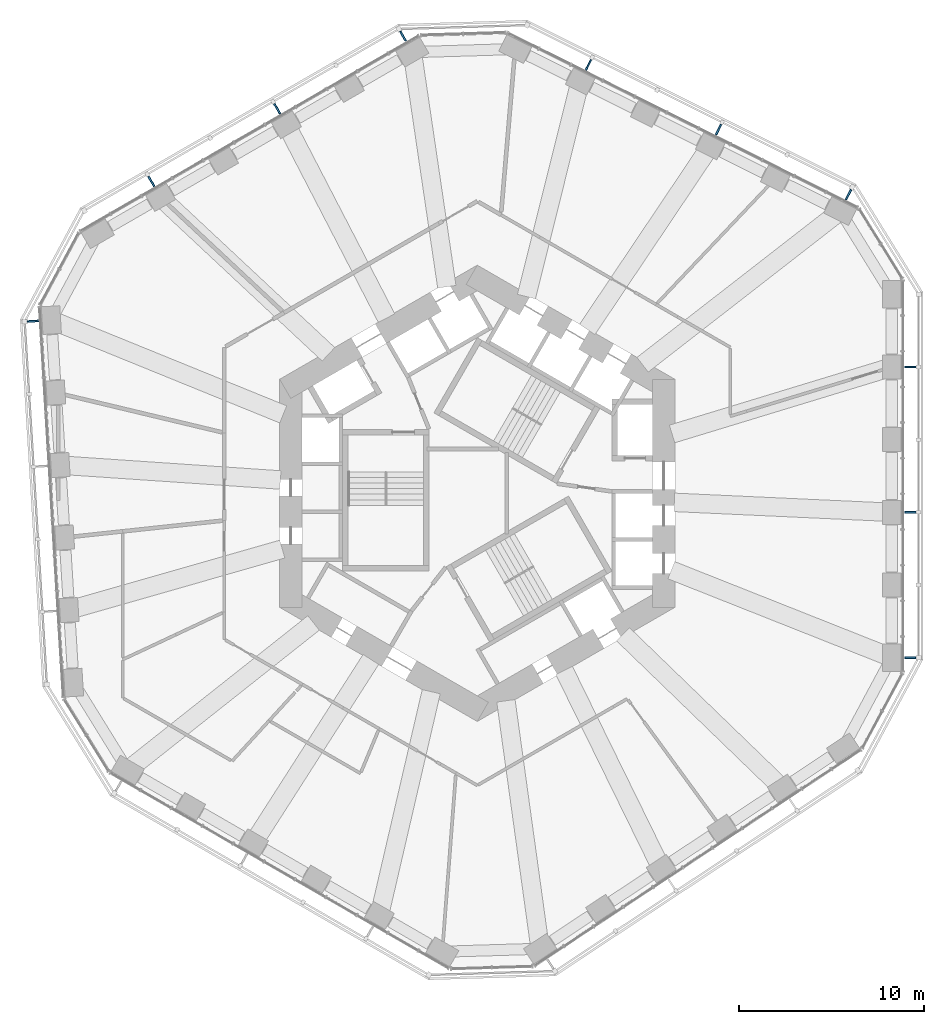
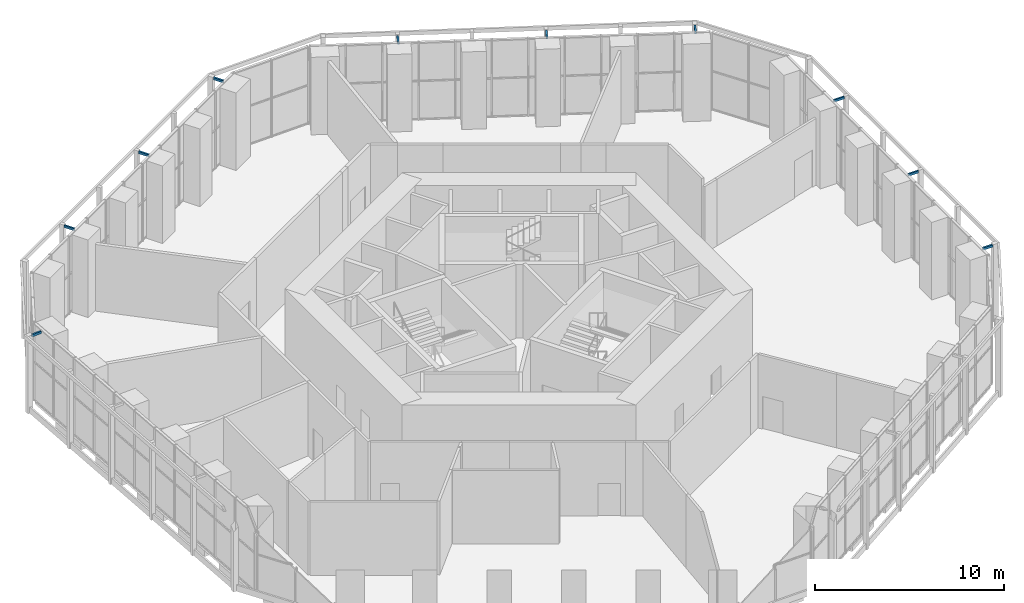
# One storey, part 18 of 19: 10 discrete accessories.
"""IFC4 building model written with IfcOpenShell, lengths in metres."""

import ifcopenshell
import ifcopenshell.guid

model = None  # the IFC model being written
_history = None  # IfcOwnerHistory: only IFC2X3 demands one
_inside = {}  # id of a spatial element -> (the spatial element, [elements in it])
_under = {}  # id of a project, library or spatial element -> (it, [spatial elements below it])
_declared = {}  # id of a project -> (the project, [libraries it declares])
_typed = {}  # id of a type object -> (the type object, [elements of that type])
_made_of = {}  # id of a material, layer set ... -> (it, [elements and type objects made of it])


def new_model(schema):
    """Start an empty IFC model of exactly this schema.

    Asked for "IFC4X3", IfcOpenShell would pick the latest addendum, in which some entities
    have other attributes; the version numbers below select the first issue.
    IFC2X3 requires an IfcOwnerHistory on every rooted entity: one is made here for all.
    """
    global model, _history
    if schema == "IFC4X3":
        model = ifcopenshell.file(schema_version=(4, 3, 0, 0))
    else:
        model = ifcopenshell.file(schema=schema)
    _inside.clear()
    _under.clear()
    _declared.clear()
    _typed.clear()
    _made_of.clear()
    _history = None
    if model.schema == "IFC2X3":
        org = make("IfcOrganization", Name="unknown")
        user = make(
            "IfcPersonAndOrganization",
            ThePerson=make("IfcPerson", FamilyName="unknown"),
            TheOrganization=org,
        )
        app = make(
            "IfcApplication",
            ApplicationDeveloper=org,
            Version="unknown",
            ApplicationFullName="unknown",
            ApplicationIdentifier="unknown",
        )
        _history = make(
            "IfcOwnerHistory",
            OwningUser=user,
            OwningApplication=app,
            ChangeAction="ADDED",
            CreationDate=0,
        )
    return model


def make(cls, **values):
    """One entity of the class cls with the attributes given. An attribute that is None is left unset."""
    return model.create_entity(
        cls, **{name: value for name, value in values.items() if value is not None}
    )


def rooted(cls, **values):
    """An entity with a GlobalId (a new one), such as an element, a storey or a relation."""
    return make(cls, GlobalId=ifcopenshell.guid.new(), OwnerHistory=_history, **values)


def si_unit(unit_type, name, prefix=None):
    """IfcSIUnit, for example si_unit("LENGTHUNIT", "METRE", prefix="MILLI")."""
    return make("IfcSIUnit", UnitType=unit_type, Prefix=prefix, Name=name)


def assignment(units):
    """IfcUnitAssignment: the units of a project."""
    return None if units is None else make("IfcUnitAssignment", Units=units)


def point(xyz):
    """IfcCartesianPoint."""
    return None if xyz is None else make("IfcCartesianPoint", Coordinates=xyz)


def direction(xyz):
    """IfcDirection."""
    return None if xyz is None else make("IfcDirection", DirectionRatios=xyz)


def frame(location, z_axis=None, x_axis=None):
    """IfcAxis2Placement3D, a coordinate frame: its origin and axes. An axis left out is left unset."""
    return make(
        "IfcAxis2Placement3D",
        Location=point(location),
        Axis=direction(z_axis),
        RefDirection=direction(x_axis),
    )


def frame_2d(location, x_axis=None):
    """IfcAxis2Placement2D, a coordinate frame in the plane: its origin and x axis."""
    return make(
        "IfcAxis2Placement2D", Location=point(location), RefDirection=direction(x_axis)
    )


def origin():
    """The frame at (0, 0, 0) with its axes left unset."""
    return frame((0.0, 0.0, 0.0))


def origin_2d():
    """The frame at (0, 0) in the plane with its x axis left unset."""
    return frame_2d((0.0, 0.0))


def place(relative_to, where):
    """IfcLocalPlacement: puts the frame where relative to a parent placement (None: the world)."""
    return make(
        "IfcLocalPlacement", PlacementRelTo=relative_to, RelativePlacement=where
    )


def context(
    kind, dimensions, precision=None, world=None, true_north=None, identifier=None
):
    """IfcGeometricRepresentationContext, for example the 3D "Model" context."""
    return make(
        "IfcGeometricRepresentationContext",
        ContextIdentifier=identifier,
        ContextType=kind,
        CoordinateSpaceDimension=dimensions,
        Precision=precision,
        WorldCoordinateSystem=world,
        TrueNorth=true_north,
    )


def subcontext(parent, identifier, kind, view, scale=None):
    """IfcGeometricRepresentationSubContext, for example "Body" below "Model"."""
    return make(
        "IfcGeometricRepresentationSubContext",
        ContextIdentifier=identifier,
        ContextType=kind,
        ParentContext=parent,
        TargetScale=scale,
        TargetView=view,
    )


def project(units=None, contexts=None):
    """IfcProject with its units and contexts."""
    return rooted(
        "IfcProject",
        Name="project",
        RepresentationContexts=contexts,
        UnitsInContext=assignment(units),
    )


def spatial(cls, under=None, at=None, **own):
    """A site, building, storey or space (cls), placed at a placement, below another one or the project."""
    s = rooted(cls, ObjectPlacement=at, **own)
    if under is not None:
        _under.setdefault(under.id(), (under, []))[1].append(s)
    return s


def profile(cls, at=None, kind="AREA", **sizes):
    """A parametric profile (cls). Its sizes go by their IFC names, for example OverallWidth=200.0."""
    return make(cls, ProfileType=kind, Position=at, **sizes)


def rectangle(**sizes):
    """IfcRectangleProfileDef."""
    return profile("IfcRectangleProfileDef", **sizes)


def extrude(swept, where, along, depth):
    """IfcExtrudedAreaSolid: the profile swept, set in the frame where, extruded along a direction by depth."""
    return make(
        "IfcExtrudedAreaSolid",
        SweptArea=swept,
        Position=where,
        ExtrudedDirection=direction(along),
        Depth=depth,
    )


def shape(context_of_items, identifier, shape_type, items):
    """IfcShapeRepresentation: the items that make up one representation, for example the "Body"."""
    return make(
        "IfcShapeRepresentation",
        ContextOfItems=context_of_items,
        RepresentationIdentifier=identifier,
        RepresentationType=shape_type,
        Items=items,
    )


def material(Name=None, Category=None):
    """IfcMaterial."""
    return make("IfcMaterial", Name=Name, Category=Category)


def made_of(thing, what):
    """Note that an element or type object is made of a material, layer set ...; save() writes the relation."""
    if what is not None:
        _made_of.setdefault(what.id(), (what, []))[1].append(thing)
    return thing


def type_object(cls, material=None, **own):
    """A type object (cls), such as IfcWallType, which elements share."""
    return made_of(rooted(cls, **own), material)


def element(
    cls,
    number,
    at=None,
    inside=None,
    cuts=None,
    type_object=None,
    material=None,
    context=None,
    identifier="Body",
    shape_type=None,
    held_by="IfcProductDefinitionShape",
    body=None,
    shapes=None,
    **own,
):
    """One element of the class cls, such as IfcWall. Its Tag is "e" and its number.

    at: its placement. inside: the storey or other place that contains it. cuts: it is an
    opening in that element (IfcRelVoidsElement). A single representation is given by context,
    identifier, shape_type and body (its items); several are given by shapes. held_by: the class
    of the entity that holds the representations. save() writes the other relations.
    """
    e = rooted(cls, Tag="e%d" % number, ObjectPlacement=at, **own)
    if body is not None:
        shapes = [shape(context, identifier, shape_type, body)]
    if shapes is not None:
        e.Representation = make(held_by, Representations=shapes)
    if inside is not None:
        _inside.setdefault(inside.id(), (inside, []))[1].append(e)
    if cuts is not None:
        rooted(
            "IfcRelVoidsElement", RelatingBuildingElement=cuts, RelatedOpeningElement=e
        )
    if type_object is not None:
        _typed.setdefault(type_object.id(), (type_object, []))[1].append(e)
    return made_of(e, material)


def aggregate(whole, parts):
    """IfcRelAggregates: a whole, such as a stair, and the parts it consists of."""
    return rooted("IfcRelAggregates", RelatingObject=whole, RelatedObjects=parts)


def save(model, path):
    """Write the relations noted so far, then the file.

    IfcRelAggregates (storeys below a building ...), IfcRelContainedInSpatialStructure (elements
    in a storey), IfcRelDefinesByType, IfcRelAssociatesMaterial and IfcRelDeclares: one each for
    every whole, place, type object, material and project.
    """
    for whole, parts in _under.values():
        aggregate(whole, parts)
    for where, things in _inside.values():
        rooted(
            "IfcRelContainedInSpatialStructure",
            RelatedElements=things,
            RelatingStructure=where,
        )
    for kind, things in _typed.values():
        rooted("IfcRelDefinesByType", RelatedObjects=things, RelatingType=kind)
    for what, things in _made_of.values():
        rooted("IfcRelAssociatesMaterial", RelatedObjects=things, RelatingMaterial=what)
    for by, libraries in _declared.values():
        rooted("IfcRelDeclares", RelatingContext=by, RelatedDefinitions=libraries)
    model.write(path)


model = new_model("IFC4")

# Units and contexts
model_context = context("Model", 3, precision=1e-05, world=origin(), true_north=direction((0.0, 1.0)))
body_context = subcontext(model_context, "Body", "Model", "MODEL_VIEW")
ifc_project = project(units=[si_unit("LENGTHUNIT", "METRE"), si_unit("AREAUNIT", "SQUARE_METRE"), si_unit("VOLUMEUNIT", "CUBIC_METRE"), si_unit("PLANEANGLEUNIT", "RADIAN"), si_unit("MASSUNIT", "GRAM", prefix="KILO")], contexts=[model_context])

# Site, building, storey
site_placement = place(None, origin())
site = spatial("IfcSite", under=ifc_project, at=site_placement, CompositionType="ELEMENT")
building_placement = place(site_placement, origin())
building = spatial("IfcBuilding", under=site, at=building_placement, Name="Vanh Sen Convention Tower", CompositionType="ELEMENT")
storey_placement = place(building_placement, frame((0.0, 0.0, 39.0)))
storey = spatial("IfcBuildingStorey", under=building, at=storey_placement, Name="L06", CompositionType="ELEMENT", Elevation=39.0)

# Discrete accessories
ifc_material = material(Name="Steel S355", Category="steel")
discrete_accessory_type = type_object("IfcDiscreteAccessoryType", Name="Fin bracket 100 x 150", PredefinedType="BRACKET", material=ifc_material)
discrete_accessory_1_placement = place(storey_placement, frame((23.449951171875, -8.899169921875, 4.800048828125), z_axis=(0.0, 0.0, 1.0), x_axis=(1.0, 0.0, 0.0)))
element("IfcDiscreteAccessory", 1, at=discrete_accessory_1_placement, inside=storey, type_object=discrete_accessory_type, Name="Fin bracket E-1 L06", PredefinedType="BRACKET", context=body_context, shape_type="SweptSolid", body=[
    extrude(rectangle(XDim=0.60009765625, YDim=0.10009765625, at=origin_2d()), origin(), (0.0, 0.0, 1.0), 0.14990234375),
])
for number, where, z_axis, x_axis, name in (
    (2, (23.46240234375, -1.030029296875, 4.800048828125), (0.0, 0.0, 1.0), (1.0, 0.0, 0.0), "Fin bracket E-3 L06"),
    (3, (23.46240234375, 6.839111328125, 4.800048828125), (0.0, 0.0, 1.0), (1.0, 0.0, 0.0), "Fin bracket E-5 L06"),
):
    element("IfcDiscreteAccessory", number, at=place(storey_placement, frame(where, z_axis=z_axis, x_axis=x_axis)), inside=storey, type_object=discrete_accessory_type, Name=name, PredefinedType="BRACKET", context=body_context, shape_type="SweptSolid", body=[
        extrude(rectangle(XDim=0.625, YDim=0.10009765625, at=origin_2d()), origin(), (0.0, 0.0, 1.0), 0.14990234375),
    ])
discrete_accessory_2_placement = place(storey_placement, frame((20.10498046875, 16.178955078125, 4.800048828125), z_axis=(0.0, 0.0, 1.0), x_axis=(0.44619781311, 0.894934361602, 0.0)))
element("IfcDiscreteAccessory", 4, at=discrete_accessory_2_placement, inside=storey, type_object=discrete_accessory_type, Name="Fin bracket NE-1 L06", PredefinedType="BRACKET", context=body_context, shape_type="SweptSolid", body=[
    extrude(rectangle(XDim=0.60009765625, YDim=0.10009765625, at=origin_2d()), origin(), (0.0, 0.0, 1.0), 0.14990234375),
])
for number, where, z_axis, x_axis, name in (
    (5, (13.068359375, 19.701416015625, 4.800048828125), (0.0, 0.0, 1.0), (0.44619781311, 0.894934361602, 0.0), "Fin bracket NE-3 L06"),
    (6, (6.02587890625, 23.212646484375, 4.800048828125), (0.0, 0.0, 1.0), (0.44619781311, 0.894934361602, 0.0), "Fin bracket NE-5 L06"),
):
    element("IfcDiscreteAccessory", number, at=place(storey_placement, frame(where, z_axis=z_axis, x_axis=x_axis)), inside=storey, type_object=discrete_accessory_type, Name=name, PredefinedType="BRACKET", context=body_context, shape_type="SweptSolid", body=[
        extrude(rectangle(XDim=0.625, YDim=0.10009765625, at=origin_2d()), origin(), (0.0, 0.0, 1.0), 0.14990234375),
    ])
discrete_accessory_3_placement = place(storey_placement, frame((-4.01806640625, 24.7578125, 4.800048828125), z_axis=(0.0, 0.0, 1.0), x_axis=(-0.5, 0.866025403784, 0.0)))
element("IfcDiscreteAccessory", 7, at=discrete_accessory_3_placement, inside=storey, type_object=discrete_accessory_type, Name="Fin bracket NW-1 L06", PredefinedType="BRACKET", context=body_context, shape_type="SweptSolid", body=[
    extrude(rectangle(XDim=0.60009765625, YDim=0.10009765625, at=origin_2d()), origin(), (0.0, 0.0, 1.0), 0.14990234375),
])
for number, where, z_axis, x_axis, name in (
    (8, (-10.839111328125, 20.834228515625, 4.800048828125), (0.0, 0.0, 1.0), (-0.5, 0.866025403784, 0.0), "Fin bracket NW-3 L06"),
    (9, (-17.654296875, 16.899658203125, 4.800048828125), (0.0, 0.0, 1.0), (-0.5, 0.866025403784, 0.0), "Fin bracket NW-5 L06"),
):
    element("IfcDiscreteAccessory", number, at=place(storey_placement, frame(where, z_axis=z_axis, x_axis=x_axis)), inside=storey, type_object=discrete_accessory_type, Name=name, PredefinedType="BRACKET", context=body_context, shape_type="SweptSolid", body=[
        extrude(rectangle(XDim=0.625, YDim=0.10009765625, at=origin_2d()), origin(), (0.0, 0.0, 1.0), 0.14990234375),
    ])
discrete_accessory_4_placement = place(storey_placement, frame((-24.06396484375, 9.322021484375, 4.800048828125), z_axis=(0.0, 0.0, 1.0), x_axis=(-0.998134798422, -0.061048539535, 0.0)))
element("IfcDiscreteAccessory", 10, at=discrete_accessory_4_placement, inside=storey, type_object=discrete_accessory_type, Name="Fin bracket W-1 L06", PredefinedType="BRACKET", context=body_context, shape_type="SweptSolid", body=[
    extrude(rectangle(XDim=0.60009765625, YDim=0.10009765625, at=origin_2d()), origin(), (0.0, 0.0, 1.0), 0.14990234375),
])

save(model, "model.ifc")
